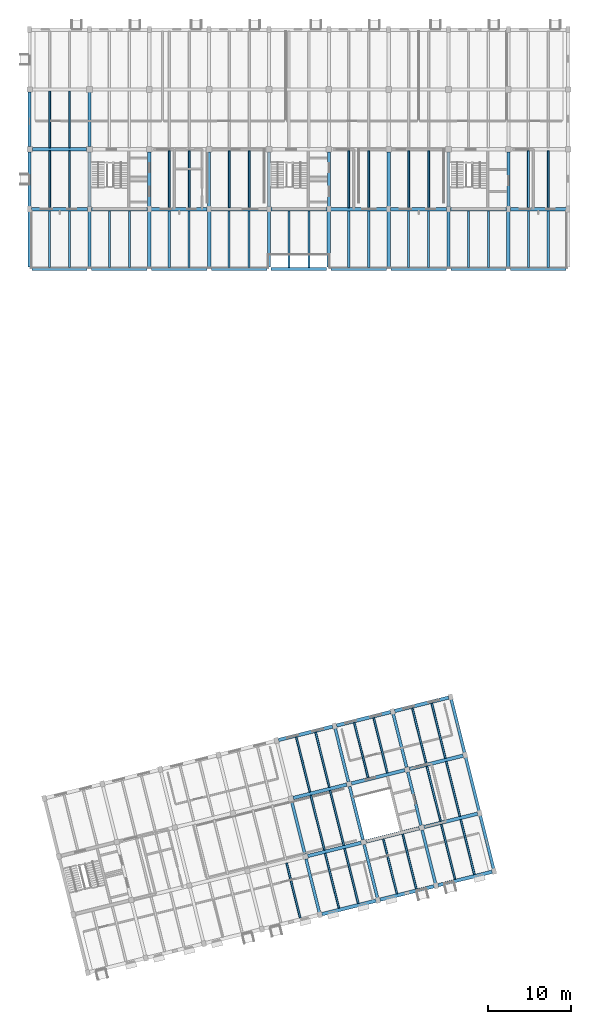
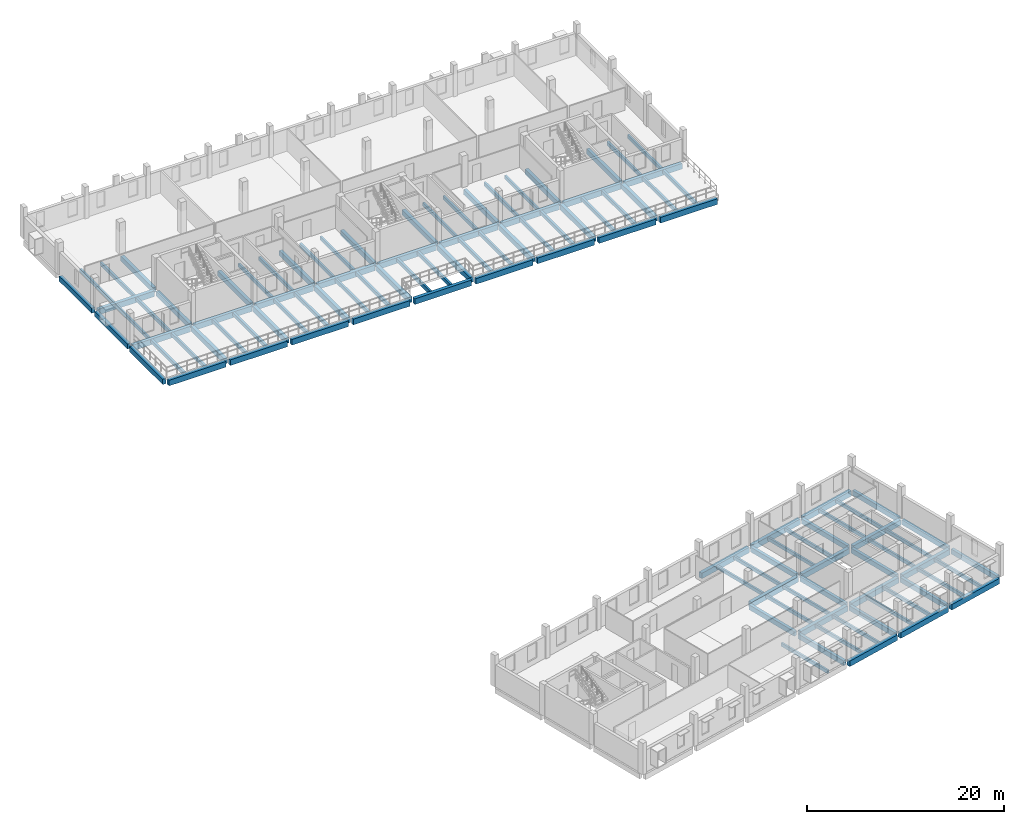
# One storey, part 2 of 14: 111 beams.
"""IFC4 building model written with IfcOpenShell, lengths in metres."""

from ifc_helpers import new_model, si_unit, direction, frame, origin, origin_2d, place, context, subcontext, project, spatial, rectangle, extrude, material, material_profile, profile_set, type_object, element, save


model = new_model("IFC4")

# Units and contexts
model_context = context("Model", 3, precision=1e-05, world=origin(), true_north=direction((0.0, 1.0)))
body_context = subcontext(model_context, "Body", "Model", "MODEL_VIEW")
ifc_project = project(units=[si_unit("LENGTHUNIT", "METRE"), si_unit("AREAUNIT", "SQUARE_METRE"), si_unit("VOLUMEUNIT", "CUBIC_METRE"), si_unit("PLANEANGLEUNIT", "RADIAN"), si_unit("MASSUNIT", "GRAM", prefix="KILO")], contexts=[model_context])

# Site, building, storey
site_placement = place(None, origin())
site = spatial("IfcSite", under=ifc_project, at=site_placement, CompositionType="ELEMENT")
building_placement = place(site_placement, origin())
building = spatial("IfcBuilding", under=site, at=building_placement, Name="Qiaolan Assembly House", CompositionType="ELEMENT")
storey_placement = place(building_placement, frame((0.0, 0.0, 22.5)))
storey = spatial("IfcBuildingStorey", under=building, at=storey_placement, Name="L05", CompositionType="ELEMENT", Elevation=22.5)

# Beams
ifc_material = material(Name="Concrete C40/50", Category="concrete")
ifc_material_profile_1 = material_profile(ifc_material, rectangle(XDim=0.35009765625, YDim=0.60009765625, at=origin_2d()), Name="RCB 350x600")
ifc_profile_set_1 = profile_set([ifc_material_profile_1], Name="Concrete C40/50")
beam_type_1 = type_object("IfcBeamType", Name="BM-RC-350x600", PredefinedType="BEAM", material=ifc_profile_set_1)
beam_1_placement = place(storey_placement, frame((70.8701171875, 8.95166015625, -0.514892578125), z_axis=(-0.241905919473, 0.970299709432, 0.0), x_axis=(-0.970299709432, -0.241905919473, 0.0)))
element("IfcBeam", 1, at=beam_1_placement, inside=storey, type_object=beam_type_1, Name="GB-08 beam BMV-SE-L05-04-00", PredefinedType="BEAM", context=body_context, shape_type="SweptSolid", body=[
    extrude(rectangle(XDim=0.35009765625, YDim=0.60009765625, at=origin_2d()), origin(), (0.0, 0.0, 1.0), 6.659912109375),
])
beam_2_placement = place(storey_placement, frame((69.11865234375, 15.976806640625, -0.514892578125), z_axis=(-0.241928153868, 0.970294165893, 0.0), x_axis=(-0.970294165893, -0.241928153868, 0.0)))
element("IfcBeam", 2, at=beam_2_placement, inside=storey, type_object=beam_type_1, Name="GB-08 beam BMV-SE-L05-04-01", PredefinedType="BEAM", context=body_context, shape_type="SweptSolid", body=[
    extrude(rectangle(XDim=0.35009765625, YDim=0.60009765625, at=origin_2d()), origin(), (0.0, 0.0, 1.0), 6.619873046875),
])
beam_3_placement = place(storey_placement, frame((77.856201171875, 10.693603515625, -0.514892578125), z_axis=(-0.241905919473, 0.970299709432, 0.0), x_axis=(-0.970299709432, -0.241905919473, 0.0)))
element("IfcBeam", 3, at=beam_3_placement, inside=storey, type_object=beam_type_1, Name="GB-08 beam BMV-SE-L05-05-00", PredefinedType="BEAM", context=body_context, shape_type="SweptSolid", body=[
    extrude(rectangle(XDim=0.35009765625, YDim=0.60009765625, at=origin_2d()), origin(), (0.0, 0.0, 1.0), 6.659912109375),
])
beam_4_placement = place(storey_placement, frame((76.104736328125, 17.718505859375, -0.514892578125), z_axis=(-0.241928153868, 0.970294165893, 0.0), x_axis=(-0.970294165893, -0.241928153868, 0.0)))
element("IfcBeam", 4, at=beam_4_placement, inside=storey, type_object=beam_type_1, Name="GB-08 beam BMV-SE-L05-05-01", PredefinedType="BEAM", context=body_context, shape_type="SweptSolid", body=[
    extrude(rectangle(XDim=0.35009765625, YDim=0.60009765625, at=origin_2d()), origin(), (0.0, 0.0, 1.0), 6.619873046875),
])
for number, where, z_axis, x_axis, name in (
    (5, (74.363037109375, 24.70458984375, -0.514892578125), (-0.241940431812, 0.970291104491, 0.0), (-0.970291104491, -0.241940431812, 0.0), "GB-08 beam BMV-SE-L05-05-02"),
    (6, (84.842529296875, 12.435546875, -0.514892578125), (-0.241940431812, 0.970291104491, 0.0), (-0.970291104491, -0.241940431812, 0.0), "GB-08 beam BMV-SE-L05-06-00"),
):
    element("IfcBeam", number, at=place(storey_placement, frame(where, z_axis=z_axis, x_axis=x_axis)), inside=storey, type_object=beam_type_1, Name=name, PredefinedType="BEAM", context=body_context, shape_type="SweptSolid", body=[
        extrude(rectangle(XDim=0.35009765625, YDim=0.60009765625, at=origin_2d()), origin(), (0.0, 0.0, 1.0), 6.659912109375),
    ])
beam_5_placement = place(storey_placement, frame((83.0908203125, 19.46044921875, -0.514892578125), z_axis=(-0.241893432628, 0.970302822448, 0.0), x_axis=(-0.970302822448, -0.241893432628, 0.0)))
element("IfcBeam", 7, at=beam_5_placement, inside=storey, type_object=beam_type_1, Name="GB-08 beam BMV-SE-L05-06-01", PredefinedType="BEAM", context=body_context, shape_type="SweptSolid", body=[
    extrude(rectangle(XDim=0.35009765625, YDim=0.60009765625, at=origin_2d()), origin(), (0.0, 0.0, 1.0), 6.619873046875),
])
beam_6_placement = place(storey_placement, frame((81.34912109375, 26.446533203125, -0.514892578125), z_axis=(-0.241940431812, 0.970291104491, 0.0), x_axis=(-0.970291104491, -0.241940431812, 0.0)))
element("IfcBeam", 8, at=beam_6_placement, inside=storey, type_object=beam_type_1, Name="GB-08 beam BMV-SE-L05-06-02", PredefinedType="BEAM", context=body_context, shape_type="SweptSolid", body=[
    extrude(rectangle(XDim=0.35009765625, YDim=0.60009765625, at=origin_2d()), origin(), (0.0, 0.0, 1.0), 6.659912109375),
])
for number, where, z_axis, x_axis, name in (
    (9, (91.82861328125, 14.17724609375, -0.514892578125), (-0.241918257079, 0.970296633454, 0.0), (-0.970296633454, -0.241918257079, 0.0), "GB-08 beam BMV-SE-L05-07-00"),
    (10, (90.086669921875, 21.163330078125, -0.514892578125), (-0.241918257079, 0.970296633454, 0.0), (-0.970296633454, -0.241918257079, 0.0), "GB-08 beam BMV-SE-L05-07-01"),
):
    element("IfcBeam", number, at=place(storey_placement, frame(where, z_axis=z_axis, x_axis=x_axis)), inside=storey, type_object=beam_type_1, Name=name, PredefinedType="BEAM", context=body_context, shape_type="SweptSolid", body=[
        extrude(rectangle(XDim=0.35009765625, YDim=0.60009765625, at=origin_2d()), origin(), (0.0, 0.0, 1.0), 6.699951171875),
    ])
beam_7_placement = place(storey_placement, frame((88.344970703125, 28.1494140625, -0.514892578125), z_axis=(-0.241909703965, 0.970298765911, 0.0), x_axis=(-0.970298765911, -0.241909703965, 0.0)))
element("IfcBeam", 11, at=beam_7_placement, inside=storey, type_object=beam_type_1, Name="GB-08 beam BMV-SE-L05-07-02", PredefinedType="BEAM", context=body_context, shape_type="SweptSolid", body=[
    extrude(rectangle(XDim=0.35009765625, YDim=0.60009765625, at=origin_2d()), origin(), (0.0, 0.0, 1.0), 6.7001953125),
])
ifc_material_profile_2 = material_profile(ifc_material, rectangle(XDim=0.3798828125, YDim=0.6201171875, at=origin_2d()), Name="RCB 380x620")
ifc_profile_set_2 = profile_set([ifc_material_profile_2], Name="Concrete C40/50")
beam_type_2 = type_object("IfcBeamType", Name="BM-RC-380x620", PredefinedType="BEAM", material=ifc_profile_set_2)
beam_8_placement = place(storey_placement, frame((36.0, 93.830078125, -0.5400390625), z_axis=(0.0, 1.0, 0.0), x_axis=(-1.0, 0.0, 0.0)))
element("IfcBeam", 12, at=beam_8_placement, inside=storey, type_object=beam_type_2, Name="GB-13 beam BMY-NW-L05-00-00", PredefinedType="BEAM", context=body_context, shape_type="SweptSolid", body=[
    extrude(rectangle(XDim=0.3798828125, YDim=0.6201171875, at=origin_2d()), origin(), (0.0, 0.0, 1.0), 6.655029296875),
])
beam_9_placement = place(storey_placement, frame((36.0, 101.114990234375, -0.5400390625), z_axis=(0.0, 1.0, 0.0), x_axis=(-1.0, 0.0, 0.0)))
element("IfcBeam", 13, at=beam_9_placement, inside=storey, type_object=beam_type_2, Name="GB-13 beam BMY-NW-L05-00-01", PredefinedType="BEAM", context=body_context, shape_type="SweptSolid", body=[
    extrude(rectangle(XDim=0.3798828125, YDim=0.6201171875, at=origin_2d()), origin(), (0.0, 0.0, 1.0), 6.570068359375),
])
beam_10_placement = place(storey_placement, frame((43.199951171875, 93.830078125, -0.5400390625), z_axis=(0.0, 1.0, 0.0), x_axis=(-1.0, 0.0, 0.0)))
element("IfcBeam", 14, at=beam_10_placement, inside=storey, type_object=beam_type_2, Name="GB-13 beam BMY-NW-L05-01-00", PredefinedType="BEAM", context=body_context, shape_type="SweptSolid", body=[
    extrude(rectangle(XDim=0.3798828125, YDim=0.6201171875, at=origin_2d()), origin(), (0.0, 0.0, 1.0), 6.639892578125),
])
beam_11_placement = place(storey_placement, frame((43.199951171875, 101.1298828125, -0.5400390625), z_axis=(0.0, 1.0, 0.0), x_axis=(-1.0, 0.0, 0.0)))
element("IfcBeam", 15, at=beam_11_placement, inside=storey, type_object=beam_type_2, Name="GB-13 beam BMY-NW-L05-01-01", PredefinedType="BEAM", context=body_context, shape_type="SweptSolid", body=[
    extrude(rectangle(XDim=0.3798828125, YDim=0.6201171875, at=origin_2d()), origin(), (0.0, 0.0, 1.0), 6.5400390625),
])
for number, where, z_axis, x_axis, name in (
    (16, (50.39990234375, 93.830078125, -0.5400390625), (0.0, 1.0, 0.0), (-1.0, 0.0, 0.0), "GB-13 beam BMY-NW-L05-02-00"),
    (17, (57.60009765625, 93.830078125, -0.5400390625), (0.0, 1.0, 0.0), (-1.0, 0.0, 0.0), "GB-13 beam BMY-NW-L05-03-00"),
    (18, (64.800048828125, 93.830078125, -0.5400390625), (0.0, 1.0, 0.0), (-1.0, 0.0, 0.0), "GB-13 beam BMY-NW-L05-04-00"),
    (19, (72.0, 93.830078125, -0.5400390625), (0.0, 1.0, 0.0), (-1.0, 0.0, 0.0), "GB-13 beam BMY-NW-L05-05-00"),
    (20, (79.199951171875, 93.830078125, -0.5400390625), (0.0, 1.0, 0.0), (-1.0, 0.0, 0.0), "GB-13 beam BMY-NW-L05-06-00"),
    (21, (86.39990234375, 93.830078125, -0.5400390625), (0.0, 1.0, 0.0), (-1.0, 0.0, 0.0), "GB-13 beam BMY-NW-L05-07-00"),
    (22, (93.60009765625, 93.830078125, -0.5400390625), (0.0, 1.0, 0.0), (-1.0, 0.0, 0.0), "GB-13 beam BMY-NW-L05-08-00"),
):
    element("IfcBeam", number, at=place(storey_placement, frame(where, z_axis=z_axis, x_axis=x_axis)), inside=storey, type_object=beam_type_2, Name=name, PredefinedType="BEAM", context=body_context, shape_type="SweptSolid", body=[
        extrude(rectangle(XDim=0.3798828125, YDim=0.6201171875, at=origin_2d()), origin(), (0.0, 0.0, 1.0), 6.639892578125),
    ])
ifc_material_profile_3 = material_profile(ifc_material, rectangle(XDim=0.39990234375, YDim=0.64990234375, at=origin_2d()), Name="RCB 400x650")
ifc_profile_set_3 = profile_set([ifc_material_profile_3], Name="Concrete C40/50")
beam_type_3 = type_object("IfcBeamType", Name="BM-RC-400x650", PredefinedType="BEAM", material=ifc_profile_set_3)
for number, where, z_axis, x_axis, name in (
    (23, (36.0, 86.669921875, -0.5849609375), (0.0, 1.0, 0.0), (-1.0, 0.0, 0.0), "GB-06 beam BMY-NWTER-L05-00-00"),
    (24, (43.199951171875, 86.669921875, -0.5849609375), (0.0, 1.0, 0.0), (-1.0, 0.0, 0.0), "GB-06 beam BMY-NWTER-L05-01-00"),
    (25, (50.39990234375, 86.669921875, -0.5849609375), (0.0, 1.0, 0.0), (-1.0, 0.0, 0.0), "GB-06 beam BMY-NWTER-L05-02-00"),
    (26, (57.60009765625, 86.669921875, -0.5849609375), (0.0, 1.0, 0.0), (-1.0, 0.0, 0.0), "GB-06 beam BMY-NWTER-L05-03-00"),
    (27, (64.800048828125, 86.669921875, -0.5849609375), (0.0, 1.0, 0.0), (-1.0, 0.0, 0.0), "GB-06 beam BMY-NWTER-L05-04-00"),
    (28, (72.0, 86.669921875, -0.5849609375), (0.0, 1.0, 0.0), (-1.0, 0.0, 0.0), "GB-06 beam BMY-NWTER-L05-05-00"),
    (29, (79.199951171875, 86.669921875, -0.5849609375), (0.0, 1.0, 0.0), (-1.0, 0.0, 0.0), "GB-06 beam BMY-NWTER-L05-06-00"),
    (30, (86.39990234375, 86.669921875, -0.5849609375), (0.0, 1.0, 0.0), (-1.0, 0.0, 0.0), "GB-06 beam BMY-NWTER-L05-07-00"),
    (31, (93.60009765625, 86.669921875, -0.5849609375), (0.0, 1.0, 0.0), (-1.0, 0.0, 0.0), "GB-06 beam BMY-NWTER-L05-08-00"),
):
    element("IfcBeam", number, at=place(storey_placement, frame(where, z_axis=z_axis, x_axis=x_axis)), inside=storey, type_object=beam_type_3, Name=name, PredefinedType="BEAM", context=body_context, shape_type="SweptSolid", body=[
        extrude(rectangle(XDim=0.39990234375, YDim=0.64990234375, at=origin_2d()), origin(), (0.0, 0.0, 1.0), 6.7001953125),
    ])
ifc_material_profile_4 = material_profile(ifc_material, rectangle(XDim=0.39990234375, YDim=0.699951171875, at=origin_2d()), Name="RCB 400x700")
ifc_profile_set_4 = profile_set([ifc_material_profile_4], Name="Concrete C40/50")
beam_type_4 = type_object("IfcBeamType", Name="BM-RC-400x700", PredefinedType="BEAM", material=ifc_profile_set_4)
for number, where, z_axis, x_axis, name in (
    (32, (36.27001953125, 86.39990234375, -0.610107421875), (1.0, 0.0, 0.0), (0.0, 1.0, 0.0), "GB-05 beam BMX-NWTER-L05-00-00"),
    (33, (43.469970703125, 86.39990234375, -0.610107421875), (1.0, 0.0, 0.0), (0.0, 1.0, 0.0), "GB-05 beam BMX-NWTER-L05-01-00"),
):
    element("IfcBeam", number, at=place(storey_placement, frame(where, z_axis=z_axis, x_axis=x_axis)), inside=storey, type_object=beam_type_4, Name=name, PredefinedType="BEAM", context=body_context, shape_type="SweptSolid", body=[
        extrude(rectangle(XDim=0.39990234375, YDim=0.699951171875, at=origin_2d()), origin(), (0.0, 0.0, 1.0), 6.659912109375),
    ])
beam_12_placement = place(storey_placement, frame((50.669921875, 86.39990234375, -0.610107421875), z_axis=(1.0, 0.0, 0.0), x_axis=(0.0, 1.0, 0.0)))
element("IfcBeam", 34, at=beam_12_placement, inside=storey, type_object=beam_type_4, Name="GB-05 beam BMX-NWTER-L05-02-00", PredefinedType="BEAM", context=body_context, shape_type="SweptSolid", body=[
    extrude(rectangle(XDim=0.39990234375, YDim=0.699951171875, at=origin_2d()), origin(), (0.0, 0.0, 1.0), 6.66015625),
])
for number, where, z_axis, x_axis, name in (
    (35, (57.8701171875, 86.39990234375, -0.610107421875), (1.0, 0.0, 0.0), (0.0, 1.0, 0.0), "GB-05 beam BMX-NWTER-L05-03-00"),
    (36, (65.070068359375, 86.39990234375, -0.610107421875), (1.0, 0.0, 0.0), (0.0, 1.0, 0.0), "GB-05 beam BMX-NWTER-L05-04-00"),
    (37, (72.27001953125, 86.39990234375, -0.610107421875), (1.0, 0.0, 0.0), (0.0, 1.0, 0.0), "GB-05 beam BMX-NWTER-L05-05-00"),
    (38, (79.469970703125, 86.39990234375, -0.610107421875), (1.0, 0.0, 0.0), (0.0, 1.0, 0.0), "GB-05 beam BMX-NWTER-L05-06-00"),
):
    element("IfcBeam", number, at=place(storey_placement, frame(where, z_axis=z_axis, x_axis=x_axis)), inside=storey, type_object=beam_type_4, Name=name, PredefinedType="BEAM", context=body_context, shape_type="SweptSolid", body=[
        extrude(rectangle(XDim=0.39990234375, YDim=0.699951171875, at=origin_2d()), origin(), (0.0, 0.0, 1.0), 6.659912109375),
    ])
beam_13_placement = place(storey_placement, frame((86.669921875, 86.39990234375, -0.610107421875), z_axis=(1.0, 0.0, 0.0), x_axis=(0.0, 1.0, 0.0)))
element("IfcBeam", 39, at=beam_13_placement, inside=storey, type_object=beam_type_4, Name="GB-05 beam BMX-NWTER-L05-07-00", PredefinedType="BEAM", context=body_context, shape_type="SweptSolid", body=[
    extrude(rectangle(XDim=0.39990234375, YDim=0.699951171875, at=origin_2d()), origin(), (0.0, 0.0, 1.0), 6.66015625),
])
beam_14_placement = place(storey_placement, frame((93.8701171875, 86.39990234375, -0.610107421875), z_axis=(1.0, 0.0, 0.0), x_axis=(0.0, 1.0, 0.0)))
element("IfcBeam", 40, at=beam_14_placement, inside=storey, type_object=beam_type_4, Name="GB-05 beam BMX-NWTER-L05-08-00", PredefinedType="BEAM", context=body_context, shape_type="SweptSolid", body=[
    extrude(rectangle(XDim=0.39990234375, YDim=0.699951171875, at=origin_2d()), origin(), (0.0, 0.0, 1.0), 6.659912109375),
])
for number, where, z_axis, x_axis, name in (
    (41, (36.22998046875, 93.60009765625, -0.610107421875), (1.0, 0.0, 0.0), (0.0, 1.0, 0.0), "GB-05 beam BMX-NWTER-L05-00-01"),
    (42, (43.429931640625, 93.60009765625, -0.610107421875), (1.0, 0.0, 0.0), (0.0, 1.0, 0.0), "GB-05 beam BMX-NWTER-L05-01-01"),
):
    element("IfcBeam", number, at=place(storey_placement, frame(where, z_axis=z_axis, x_axis=x_axis)), inside=storey, type_object=beam_type_4, Name=name, PredefinedType="BEAM", context=body_context, shape_type="SweptSolid", body=[
        extrude(rectangle(XDim=0.39990234375, YDim=0.699951171875, at=origin_2d()), origin(), (0.0, 0.0, 1.0), 6.739990234375),
    ])
beam_15_placement = place(storey_placement, frame((50.6298828125, 93.60009765625, -0.610107421875), z_axis=(1.0, 0.0, 0.0), x_axis=(0.0, 1.0, 0.0)))
element("IfcBeam", 43, at=beam_15_placement, inside=storey, type_object=beam_type_4, Name="GB-05 beam BMX-NWTER-L05-02-01", PredefinedType="BEAM", context=body_context, shape_type="SweptSolid", body=[
    extrude(rectangle(XDim=0.39990234375, YDim=0.699951171875, at=origin_2d()), origin(), (0.0, 0.0, 1.0), 6.740234375),
])
for number, where, z_axis, x_axis, name in (
    (44, (57.830078125, 93.60009765625, -0.610107421875), (1.0, 0.0, 0.0), (0.0, 1.0, 0.0), "GB-05 beam BMX-NWTER-L05-03-01"),
    (45, (65.030029296875, 93.60009765625, -0.610107421875), (1.0, 0.0, 0.0), (0.0, 1.0, 0.0), "GB-05 beam BMX-NWTER-L05-04-01"),
    (46, (72.22998046875, 93.60009765625, -0.610107421875), (1.0, 0.0, 0.0), (0.0, 1.0, 0.0), "GB-05 beam BMX-NWTER-L05-05-01"),
    (47, (79.429931640625, 93.60009765625, -0.610107421875), (1.0, 0.0, 0.0), (0.0, 1.0, 0.0), "GB-05 beam BMX-NWTER-L05-06-01"),
):
    element("IfcBeam", number, at=place(storey_placement, frame(where, z_axis=z_axis, x_axis=x_axis)), inside=storey, type_object=beam_type_4, Name=name, PredefinedType="BEAM", context=body_context, shape_type="SweptSolid", body=[
        extrude(rectangle(XDim=0.39990234375, YDim=0.699951171875, at=origin_2d()), origin(), (0.0, 0.0, 1.0), 6.739990234375),
    ])
beam_16_placement = place(storey_placement, frame((86.6298828125, 93.60009765625, -0.610107421875), z_axis=(1.0, 0.0, 0.0), x_axis=(0.0, 1.0, 0.0)))
element("IfcBeam", 48, at=beam_16_placement, inside=storey, type_object=beam_type_4, Name="GB-05 beam BMX-NWTER-L05-07-01", PredefinedType="BEAM", context=body_context, shape_type="SweptSolid", body=[
    extrude(rectangle(XDim=0.39990234375, YDim=0.699951171875, at=origin_2d()), origin(), (0.0, 0.0, 1.0), 6.740234375),
])
beam_17_placement = place(storey_placement, frame((93.830078125, 93.60009765625, -0.610107421875), z_axis=(1.0, 0.0, 0.0), x_axis=(0.0, 1.0, 0.0)))
element("IfcBeam", 49, at=beam_17_placement, inside=storey, type_object=beam_type_4, Name="GB-05 beam BMX-NWTER-L05-08-01", PredefinedType="BEAM", context=body_context, shape_type="SweptSolid", body=[
    extrude(rectangle(XDim=0.39990234375, YDim=0.699951171875, at=origin_2d()), origin(), (0.0, 0.0, 1.0), 6.739990234375),
])
beam_18_placement = place(storey_placement, frame((36.31494140625, 100.800048828125, -0.580078125), z_axis=(1.0, 0.0, 0.0), x_axis=(0.0, 1.0, 0.0)))
element("IfcBeam", 50, at=beam_18_placement, inside=storey, type_object=beam_type_4, Name="GB-05 beam BMX-NW-L05-00-01", PredefinedType="BEAM", context=body_context, shape_type="SweptSolid", body=[
    extrude(rectangle(XDim=0.39990234375, YDim=0.699951171875, at=origin_2d()), origin(), (0.0, 0.0, 1.0), 6.55517578125),
])
ifc_material_profile_5 = material_profile(ifc_material, rectangle(XDim=0.419921875, YDim=0.679931640625, at=origin_2d()), Name="RCB 420x680")
ifc_profile_set_5 = profile_set([ifc_material_profile_5], Name="Concrete C40/50")
beam_type_5 = type_object("IfcBeamType", Name="BM-RC-420x680", PredefinedType="BEAM", material=ifc_profile_set_5)
for number, where, z_axis, x_axis, name in (
    (51, (71.17333984375, 8.769775390625, -0.554931640625), (0.970296633454, 0.241918257079, 0.0), (-0.241918257079, 0.970296633454, 0.0), "GB-12 beam BMU-SE-L05-04-00"),
    (52, (78.159423828125, 10.511474609375, -0.554931640625), (0.970296633454, 0.241918257079, 0.0), (-0.241918257079, 0.970296633454, 0.0), "GB-12 beam BMU-SE-L05-05-00"),
    (53, (85.1455078125, 12.25341796875, -0.554931640625), (0.970296633454, 0.241918257079, 0.0), (-0.241918257079, 0.970296633454, 0.0), "GB-12 beam BMU-SE-L05-06-00"),
):
    element("IfcBeam", number, at=place(storey_placement, frame(where, z_axis=z_axis, x_axis=x_axis)), inside=storey, type_object=beam_type_5, Name=name, PredefinedType="BEAM", context=body_context, shape_type="SweptSolid", body=[
        extrude(rectangle(XDim=0.419921875, YDim=0.679931640625, at=origin_2d()), origin(), (0.0, 0.0, 1.0), 6.699951171875),
    ])
for number, where, z_axis, x_axis, name in (
    (54, (69.47021484375, 15.765380859375, -0.554931640625), (0.970294165893, 0.241928153868, 0.0), (-0.241928153868, 0.970294165893, 0.0), "GB-12 beam BMU-SE-L05-04-01"),
    (55, (76.456298828125, 17.50732421875, -0.554931640625), (0.970294165893, 0.241928153868, 0.0), (-0.241928153868, 0.970294165893, 0.0), "GB-12 beam BMU-SE-L05-05-01"),
):
    element("IfcBeam", number, at=place(storey_placement, frame(where, z_axis=z_axis, x_axis=x_axis)), inside=storey, type_object=beam_type_5, Name=name, PredefinedType="BEAM", context=body_context, shape_type="SweptSolid", body=[
        extrude(rectangle(XDim=0.419921875, YDim=0.679931640625, at=origin_2d()), origin(), (0.0, 0.0, 1.0), 6.619873046875),
    ])
beam_19_placement = place(storey_placement, frame((83.4423828125, 19.249267578125, -0.554931640625), z_axis=(0.970299709432, 0.241905919473, 0.0), x_axis=(-0.241905919473, 0.970299709432, 0.0)))
element("IfcBeam", 56, at=beam_19_placement, inside=storey, type_object=beam_type_5, Name="GB-12 beam BMU-SE-L05-06-01", PredefinedType="BEAM", context=body_context, shape_type="SweptSolid", body=[
    extrude(rectangle(XDim=0.419921875, YDim=0.679931640625, at=origin_2d()), origin(), (0.0, 0.0, 1.0), 6.659912109375),
])
for number, where, z_axis, x_axis, name in (
    (57, (67.728271484375, 22.751708984375, -0.554931640625), (0.970302822448, 0.241893432628, 0.0), (-0.241893432628, 0.970302822448, 0.0), "GB-12 beam BMU-SE-L05-04-02"),
    (58, (74.714599609375, 24.493408203125, -0.554931640625), (0.970294165893, 0.241928153868, 0.0), (-0.241928153868, 0.970294165893, 0.0), "GB-12 beam BMU-SE-L05-05-02"),
):
    element("IfcBeam", number, at=place(storey_placement, frame(where, z_axis=z_axis, x_axis=x_axis)), inside=storey, type_object=beam_type_5, Name=name, PredefinedType="BEAM", context=body_context, shape_type="SweptSolid", body=[
        extrude(rectangle(XDim=0.419921875, YDim=0.679931640625, at=origin_2d()), origin(), (0.0, 0.0, 1.0), 6.619873046875),
    ])
beam_20_placement = place(storey_placement, frame((81.70068359375, 26.2353515625, -0.554931640625), z_axis=(0.970299709432, 0.241905919473, 0.0), x_axis=(-0.241905919473, 0.970299709432, 0.0)))
element("IfcBeam", 59, at=beam_20_placement, inside=storey, type_object=beam_type_5, Name="GB-12 beam BMU-SE-L05-06-02", PredefinedType="BEAM", context=body_context, shape_type="SweptSolid", body=[
    extrude(rectangle(XDim=0.419921875, YDim=0.679931640625, at=origin_2d()), origin(), (0.0, 0.0, 1.0), 6.659912109375),
])
for number, where, z_axis, x_axis, name in (
    (60, (65.94775390625, 29.72802734375, -0.554931640625), (0.970296633454, 0.241918257079, 0.0), (-0.241918257079, 0.970296633454, 0.0), "GB-12 beam BMU-SE-L05-04-03"),
    (61, (72.933837890625, 31.469970703125, -0.554931640625), (0.970296633454, 0.241918257079, 0.0), (-0.241918257079, 0.970296633454, 0.0), "GB-12 beam BMU-SE-L05-05-03"),
    (62, (79.919921875, 33.211669921875, -0.554931640625), (0.970296633454, 0.241918257079, 0.0), (-0.241918257079, 0.970296633454, 0.0), "GB-12 beam BMU-SE-L05-06-03"),
):
    element("IfcBeam", number, at=place(storey_placement, frame(where, z_axis=z_axis, x_axis=x_axis)), inside=storey, type_object=beam_type_5, Name=name, PredefinedType="BEAM", context=body_context, shape_type="SweptSolid", body=[
        extrude(rectangle(XDim=0.419921875, YDim=0.679931640625, at=origin_2d()), origin(), (0.0, 0.0, 1.0), 6.699951171875),
    ])
ifc_material_profile_6 = material_profile(ifc_material, rectangle(XDim=0.219970703125, YDim=0.419921875, at=origin_2d()), Name="RCB 220x420")
ifc_profile_set_6 = profile_set([ifc_material_profile_6], Name="Concrete C40/50")
beam_type_6 = type_object("IfcBeamType", Name="JST-RC-220x420", PredefinedType="JOIST", material=ifc_profile_set_6)
beam_21_placement = place(storey_placement, frame((68.552490234375, 8.326416015625, -0.425048828125), z_axis=(-0.241909709048, 0.970298764643, 0.0), x_axis=(-0.970298764643, -0.241909709048, 0.0)))
element("IfcBeam", 63, at=beam_21_placement, inside=storey, type_object=beam_type_6, Name="RJ-03 beam JST-SE-L05-03-00-2", PredefinedType="JOIST", context=body_context, shape_type="SweptSolid", body=[
    extrude(rectangle(XDim=0.219970703125, YDim=0.419921875, at=origin_2d()), origin(), (0.0, 0.0, 1.0), 6.7919921875),
])
beam_22_placement = place(storey_placement, frame((73.2099609375, 9.48779296875, -0.425048828125), z_axis=(-0.241918146508, 0.970296661022, 0.0), x_axis=(-0.970296661022, -0.241918146508, 0.0)))
element("IfcBeam", 64, at=beam_22_placement, inside=storey, type_object=beam_type_6, Name="RJ-03 beam JST-SE-L05-04-00-1", PredefinedType="JOIST", context=body_context, shape_type="SweptSolid", body=[
    extrude(rectangle(XDim=0.219970703125, YDim=0.419921875, at=origin_2d()), origin(), (0.0, 0.0, 1.0), 6.791748046875),
])
for number, where, z_axis, x_axis, name in (
    (65, (75.538818359375, 10.068359375, -0.425048828125), (-0.241943550075, 0.970290326952, 0.0), (-0.970290326952, -0.241943550075, 0.0), "RJ-03 beam JST-SE-L05-04-00-2"),
    (66, (71.46826171875, 16.473876953125, -0.425048828125), (-0.241943550075, 0.970290326952, 0.0), (-0.970290326952, -0.241943550075, 0.0), "RJ-03 beam JST-SE-L05-04-01-1"),
):
    element("IfcBeam", number, at=place(storey_placement, frame(where, z_axis=z_axis, x_axis=x_axis)), inside=storey, type_object=beam_type_6, Name=name, PredefinedType="JOIST", context=body_context, shape_type="SweptSolid", body=[
        extrude(rectangle(XDim=0.219970703125, YDim=0.419921875, at=origin_2d()), origin(), (0.0, 0.0, 1.0), 6.792236328125),
    ])
for number, where, z_axis, x_axis, name in (
    (67, (73.796875, 17.054443359375, -0.425048828125), (-0.241909709048, 0.970298764643, 0.0), (-0.970298764643, -0.241909709048, 0.0), "RJ-03 beam JST-SE-L05-04-01-2"),
    (68, (69.726318359375, 23.4599609375, -0.425048828125), (-0.241909709048, 0.970298764643, 0.0), (-0.970298764643, -0.241909709048, 0.0), "RJ-03 beam JST-SE-L05-04-02-1"),
    (69, (72.054931640625, 24.04052734375, -0.425048828125), (-0.241909709048, 0.970298764643, 0.0), (-0.970298764643, -0.241909709048, 0.0), "RJ-03 beam JST-SE-L05-04-02-2"),
    (70, (80.196044921875, 11.2294921875, -0.425048828125), (-0.241909709048, 0.970298764643, 0.0), (-0.970298764643, -0.241909709048, 0.0), "RJ-03 beam JST-SE-L05-05-00-1"),
    (71, (82.52490234375, 11.810302734375, -0.425048828125), (-0.241951988568, 0.970288222761, 0.0), (-0.970288222761, -0.241951988568, 0.0), "RJ-03 beam JST-SE-L05-05-00-2"),
):
    element("IfcBeam", number, at=place(storey_placement, frame(where, z_axis=z_axis, x_axis=x_axis)), inside=storey, type_object=beam_type_6, Name=name, PredefinedType="JOIST", context=body_context, shape_type="SweptSolid", body=[
        extrude(rectangle(XDim=0.219970703125, YDim=0.419921875, at=origin_2d()), origin(), (0.0, 0.0, 1.0), 6.7919921875),
    ])
beam_23_placement = place(storey_placement, frame((76.71240234375, 25.201904296875, -0.425048828125), z_axis=(-0.241918146508, 0.970296661022, 0.0), x_axis=(-0.970296661022, -0.241918146508, 0.0)))
element("IfcBeam", 72, at=beam_23_placement, inside=storey, type_object=beam_type_6, Name="RJ-03 beam JST-SE-L05-05-02-1", PredefinedType="JOIST", context=body_context, shape_type="SweptSolid", body=[
    extrude(rectangle(XDim=0.219970703125, YDim=0.419921875, at=origin_2d()), origin(), (0.0, 0.0, 1.0), 6.791748046875),
])
for number, where, z_axis, x_axis, name in (
    (73, (79.041259765625, 25.782470703125, -0.425048828125), (-0.241943550075, 0.970290326952, 0.0), (-0.970290326952, -0.241943550075, 0.0), "RJ-03 beam JST-SE-L05-05-02-2"),
    (74, (87.182373046875, 12.971435546875, -0.425048828125), (-0.241943550075, 0.970290326952, 0.0), (-0.970290326952, -0.241943550075, 0.0), "RJ-03 beam JST-SE-L05-06-00-1"),
):
    element("IfcBeam", number, at=place(storey_placement, frame(where, z_axis=z_axis, x_axis=x_axis)), inside=storey, type_object=beam_type_6, Name=name, PredefinedType="JOIST", context=body_context, shape_type="SweptSolid", body=[
        extrude(rectangle(XDim=0.219970703125, YDim=0.419921875, at=origin_2d()), origin(), (0.0, 0.0, 1.0), 6.792236328125),
    ])
for number, where, z_axis, x_axis, name in (
    (75, (89.510986328125, 13.552001953125, -0.425048828125), (-0.241909709048, 0.970298764643, 0.0), (-0.970298764643, -0.241909709048, 0.0), "RJ-03 beam JST-SE-L05-06-00-2"),
    (76, (85.4404296875, 19.95751953125, -0.425048828125), (-0.241909709048, 0.970298764643, 0.0), (-0.970298764643, -0.241909709048, 0.0), "RJ-03 beam JST-SE-L05-06-01-1"),
    (77, (87.76904296875, 20.5380859375, -0.425048828125), (-0.241909709048, 0.970298764643, 0.0), (-0.970298764643, -0.241909709048, 0.0), "RJ-03 beam JST-SE-L05-06-01-2"),
    (78, (83.698486328125, 26.943603515625, -0.425048828125), (-0.241909709048, 0.970298764643, 0.0), (-0.970298764643, -0.241909709048, 0.0), "RJ-03 beam JST-SE-L05-06-02-1"),
    (79, (86.02734375, 27.524169921875, -0.425048828125), (-0.241909709048, 0.970298764643, 0.0), (-0.970298764643, -0.241909709048, 0.0), "RJ-03 beam JST-SE-L05-06-02-2"),
):
    element("IfcBeam", number, at=place(storey_placement, frame(where, z_axis=z_axis, x_axis=x_axis)), inside=storey, type_object=beam_type_6, Name=name, PredefinedType="JOIST", context=body_context, shape_type="SweptSolid", body=[
        extrude(rectangle(XDim=0.219970703125, YDim=0.419921875, at=origin_2d()), origin(), (0.0, 0.0, 1.0), 6.7919921875),
    ])
ifc_material_profile_7 = material_profile(ifc_material, rectangle(XDim=0.22998046875, YDim=0.43994140625, at=origin_2d()), Name="RCB 230x440")
ifc_profile_set_7 = profile_set([ifc_material_profile_7], Name="Concrete C40/50")
beam_type_7 = type_object("IfcBeamType", Name="JST-RC-230x440", PredefinedType="JOIST", material=ifc_profile_set_7)
for number, where, z_axis, x_axis, name in (
    (80, (38.39990234375, 93.7939453125, -0.47998046875), (0.0, 1.0, 0.0), (-1.0, 0.0, 0.0), "RJ-08 beam JST-NW-L05-00-00-1"),
    (81, (40.800048828125, 93.7939453125, -0.47998046875), (0.0, 1.0, 0.0), (-1.0, 0.0, 0.0), "RJ-08 beam JST-NW-L05-00-00-2"),
    (82, (38.39990234375, 100.993896484375, -0.449951171875), (0.0, 1.0, 0.0), (-1.0, 0.0, 0.0), "RJ-08 beam JST-NW-L05-00-01-1"),
    (83, (40.800048828125, 100.993896484375, -0.449951171875), (0.0, 1.0, 0.0), (-1.0, 0.0, 0.0), "RJ-08 beam JST-NW-L05-00-01-2"),
    (84, (52.800048828125, 93.7939453125, -0.47998046875), (0.0, 1.0, 0.0), (-1.0, 0.0, 0.0), "RJ-08 beam JST-NW-L05-02-00-1"),
    (85, (55.199951171875, 93.7939453125, -0.47998046875), (0.0, 1.0, 0.0), (-1.0, 0.0, 0.0), "RJ-08 beam JST-NW-L05-02-00-2"),
    (86, (60.0, 93.7939453125, -0.47998046875), (0.0, 1.0, 0.0), (-1.0, 0.0, 0.0), "RJ-08 beam JST-NW-L05-03-00-1"),
    (87, (62.39990234375, 93.7939453125, -0.47998046875), (0.0, 1.0, 0.0), (-1.0, 0.0, 0.0), "RJ-08 beam JST-NW-L05-03-00-2"),
    (88, (74.39990234375, 93.7939453125, -0.47998046875), (0.0, 1.0, 0.0), (-1.0, 0.0, 0.0), "RJ-08 beam JST-NW-L05-05-00-1"),
    (89, (76.800048828125, 93.7939453125, -0.47998046875), (0.0, 1.0, 0.0), (-1.0, 0.0, 0.0), "RJ-08 beam JST-NW-L05-05-00-2"),
    (90, (81.60009765625, 93.7939453125, -0.47998046875), (0.0, 1.0, 0.0), (-1.0, 0.0, 0.0), "RJ-08 beam JST-NW-L05-06-00-1"),
    (91, (84.0, 93.7939453125, -0.47998046875), (0.0, 1.0, 0.0), (-1.0, 0.0, 0.0), "RJ-08 beam JST-NW-L05-06-00-2"),
    (92, (96.0, 93.7939453125, -0.47998046875), (0.0, 1.0, 0.0), (-1.0, 0.0, 0.0), "RJ-08 beam JST-NW-L05-08-00-1"),
    (93, (98.39990234375, 93.7939453125, -0.47998046875), (0.0, 1.0, 0.0), (-1.0, 0.0, 0.0), "RJ-08 beam JST-NW-L05-08-00-2"),
):
    element("IfcBeam", number, at=place(storey_placement, frame(where, z_axis=z_axis, x_axis=x_axis)), inside=storey, type_object=beam_type_7, Name=name, PredefinedType="JOIST", context=body_context, shape_type="SweptSolid", body=[
        extrude(rectangle(XDim=0.22998046875, YDim=0.43994140625, at=origin_2d()), origin(), (0.0, 0.0, 1.0), 6.81201171875),
    ])
ifc_material_profile_8 = material_profile(ifc_material, rectangle(XDim=0.25, YDim=0.449951171875, at=origin_2d()), Name="RCB 250x450")
ifc_profile_set_8 = profile_set([ifc_material_profile_8], Name="Concrete C40/50")
beam_type_8 = type_object("IfcBeamType", Name="JST-RC-250x450", PredefinedType="JOIST", material=ifc_profile_set_8)
for number, where, z_axis, x_axis, name in (
    (94, (38.39990234375, 86.593994140625, -0.485107421875), (0.0, 1.0, 0.0), (-1.0, 0.0, 0.0), "RJ-02 beam JST-NWTER-L05-00-00-1"),
    (95, (40.800048828125, 86.593994140625, -0.485107421875), (0.0, 1.0, 0.0), (-1.0, 0.0, 0.0), "RJ-02 beam JST-NWTER-L05-00-00-2"),
    (96, (45.60009765625, 86.593994140625, -0.485107421875), (0.0, 1.0, 0.0), (-1.0, 0.0, 0.0), "RJ-02 beam JST-NWTER-L05-01-00-1"),
    (97, (48.0, 86.593994140625, -0.485107421875), (0.0, 1.0, 0.0), (-1.0, 0.0, 0.0), "RJ-02 beam JST-NWTER-L05-01-00-2"),
    (98, (52.800048828125, 86.593994140625, -0.485107421875), (0.0, 1.0, 0.0), (-1.0, 0.0, 0.0), "RJ-02 beam JST-NWTER-L05-02-00-1"),
    (99, (55.199951171875, 86.593994140625, -0.485107421875), (0.0, 1.0, 0.0), (-1.0, 0.0, 0.0), "RJ-02 beam JST-NWTER-L05-02-00-2"),
    (100, (60.0, 86.593994140625, -0.485107421875), (0.0, 1.0, 0.0), (-1.0, 0.0, 0.0), "RJ-02 beam JST-NWTER-L05-03-00-1"),
    (101, (62.39990234375, 86.593994140625, -0.485107421875), (0.0, 1.0, 0.0), (-1.0, 0.0, 0.0), "RJ-02 beam JST-NWTER-L05-03-00-2"),
    (102, (67.199951171875, 86.593994140625, -0.485107421875), (0.0, 1.0, 0.0), (-1.0, 0.0, 0.0), "RJ-02 beam JST-NWTER-L05-04-00-1"),
    (103, (69.60009765625, 86.593994140625, -0.485107421875), (0.0, 1.0, 0.0), (-1.0, 0.0, 0.0), "RJ-02 beam JST-NWTER-L05-04-00-2"),
    (104, (74.39990234375, 86.593994140625, -0.485107421875), (0.0, 1.0, 0.0), (-1.0, 0.0, 0.0), "RJ-02 beam JST-NWTER-L05-05-00-1"),
    (105, (76.800048828125, 86.593994140625, -0.485107421875), (0.0, 1.0, 0.0), (-1.0, 0.0, 0.0), "RJ-02 beam JST-NWTER-L05-05-00-2"),
    (106, (81.60009765625, 86.593994140625, -0.485107421875), (0.0, 1.0, 0.0), (-1.0, 0.0, 0.0), "RJ-02 beam JST-NWTER-L05-06-00-1"),
    (107, (84.0, 86.593994140625, -0.485107421875), (0.0, 1.0, 0.0), (-1.0, 0.0, 0.0), "RJ-02 beam JST-NWTER-L05-06-00-2"),
    (108, (88.800048828125, 86.593994140625, -0.485107421875), (0.0, 1.0, 0.0), (-1.0, 0.0, 0.0), "RJ-02 beam JST-NWTER-L05-07-00-1"),
    (109, (91.199951171875, 86.593994140625, -0.485107421875), (0.0, 1.0, 0.0), (-1.0, 0.0, 0.0), "RJ-02 beam JST-NWTER-L05-07-00-2"),
    (110, (96.0, 86.593994140625, -0.485107421875), (0.0, 1.0, 0.0), (-1.0, 0.0, 0.0), "RJ-02 beam JST-NWTER-L05-08-00-1"),
    (111, (98.39990234375, 86.593994140625, -0.485107421875), (0.0, 1.0, 0.0), (-1.0, 0.0, 0.0), "RJ-02 beam JST-NWTER-L05-08-00-2"),
):
    element("IfcBeam", number, at=place(storey_placement, frame(where, z_axis=z_axis, x_axis=x_axis)), inside=storey, type_object=beam_type_8, Name=name, PredefinedType="JOIST", context=body_context, shape_type="SweptSolid", body=[
        extrude(rectangle(XDim=0.25, YDim=0.449951171875, at=origin_2d()), origin(), (0.0, 0.0, 1.0), 6.81201171875),
    ])

save(model, "model.ifc")
